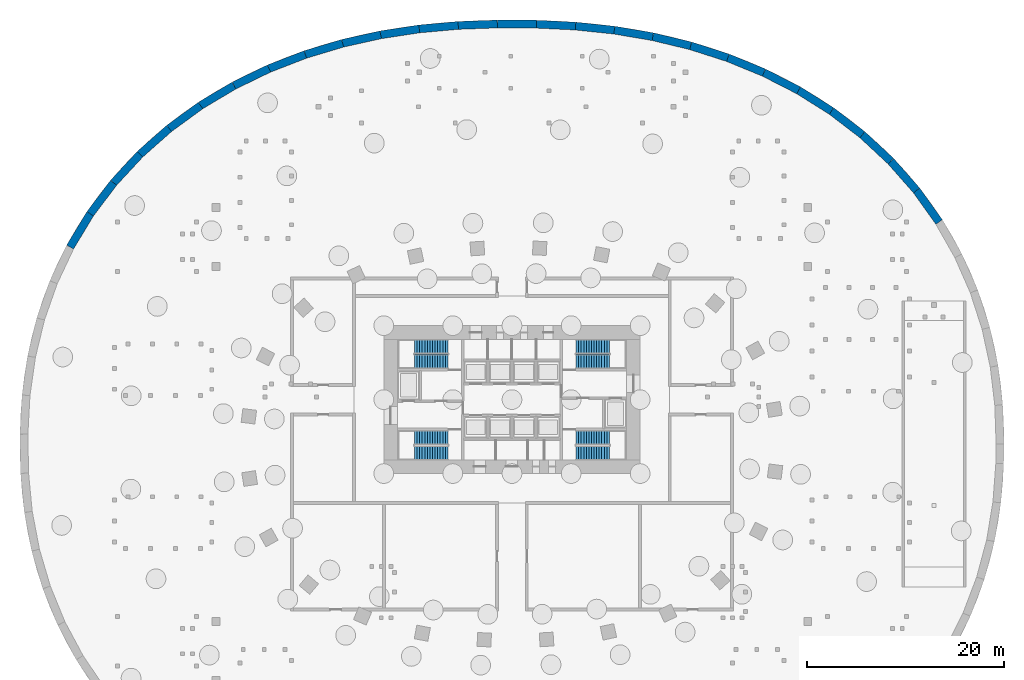
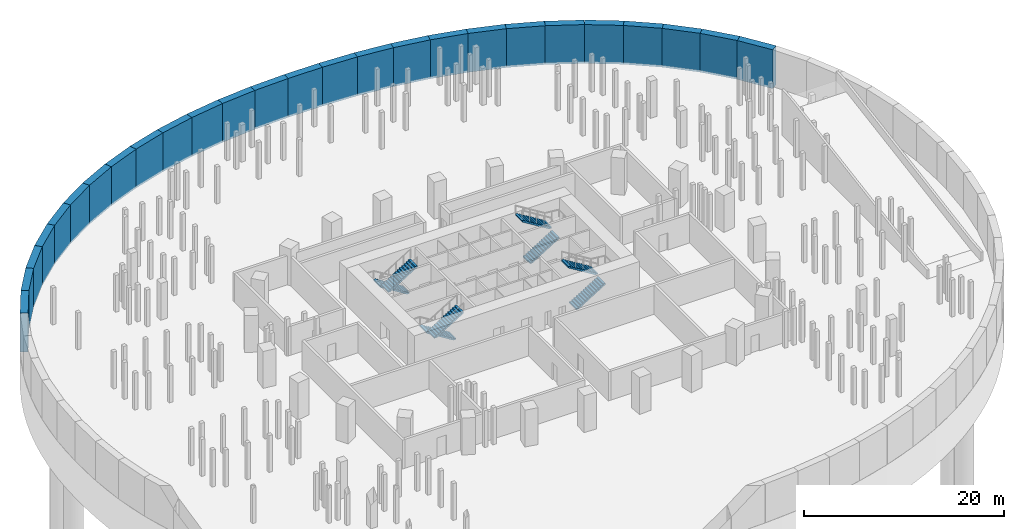
# One storey, part 8 of 10: 26 walls, 8 stair flights, 4 elements without a shape of their own.
"""IFC4 building model written with IfcOpenShell, lengths in metres."""

import ifcopenshell
import ifcopenshell.guid

model = None  # the IFC model being written
_history = None  # IfcOwnerHistory: only IFC2X3 demands one
_inside = {}  # id of a spatial element -> (the spatial element, [elements in it])
_under = {}  # id of a project, library or spatial element -> (it, [spatial elements below it])
_declared = {}  # id of a project -> (the project, [libraries it declares])
_typed = {}  # id of a type object -> (the type object, [elements of that type])
_made_of = {}  # id of a material, layer set ... -> (it, [elements and type objects made of it])


def new_model(schema):
    """Start an empty IFC model of exactly this schema.

    Asked for "IFC4X3", IfcOpenShell would pick the latest addendum, in which some entities
    have other attributes; the version numbers below select the first issue.
    IFC2X3 requires an IfcOwnerHistory on every rooted entity: one is made here for all.
    """
    global model, _history
    if schema == "IFC4X3":
        model = ifcopenshell.file(schema_version=(4, 3, 0, 0))
    else:
        model = ifcopenshell.file(schema=schema)
    _inside.clear()
    _under.clear()
    _declared.clear()
    _typed.clear()
    _made_of.clear()
    _history = None
    if model.schema == "IFC2X3":
        org = make("IfcOrganization", Name="unknown")
        user = make(
            "IfcPersonAndOrganization",
            ThePerson=make("IfcPerson", FamilyName="unknown"),
            TheOrganization=org,
        )
        app = make(
            "IfcApplication",
            ApplicationDeveloper=org,
            Version="unknown",
            ApplicationFullName="unknown",
            ApplicationIdentifier="unknown",
        )
        _history = make(
            "IfcOwnerHistory",
            OwningUser=user,
            OwningApplication=app,
            ChangeAction="ADDED",
            CreationDate=0,
        )
    return model


def make(cls, **values):
    """One entity of the class cls with the attributes given. An attribute that is None is left unset."""
    return model.create_entity(
        cls, **{name: value for name, value in values.items() if value is not None}
    )


def rooted(cls, **values):
    """An entity with a GlobalId (a new one), such as an element, a storey or a relation."""
    return make(cls, GlobalId=ifcopenshell.guid.new(), OwnerHistory=_history, **values)


def si_unit(unit_type, name, prefix=None):
    """IfcSIUnit, for example si_unit("LENGTHUNIT", "METRE", prefix="MILLI")."""
    return make("IfcSIUnit", UnitType=unit_type, Prefix=prefix, Name=name)


def assignment(units):
    """IfcUnitAssignment: the units of a project."""
    return None if units is None else make("IfcUnitAssignment", Units=units)


def point(xyz):
    """IfcCartesianPoint."""
    return None if xyz is None else make("IfcCartesianPoint", Coordinates=xyz)


def direction(xyz):
    """IfcDirection."""
    return None if xyz is None else make("IfcDirection", DirectionRatios=xyz)


def frame(location, z_axis=None, x_axis=None):
    """IfcAxis2Placement3D, a coordinate frame: its origin and axes. An axis left out is left unset."""
    return make(
        "IfcAxis2Placement3D",
        Location=point(location),
        Axis=direction(z_axis),
        RefDirection=direction(x_axis),
    )


def frame_2d(location, x_axis=None):
    """IfcAxis2Placement2D, a coordinate frame in the plane: its origin and x axis."""
    return make(
        "IfcAxis2Placement2D", Location=point(location), RefDirection=direction(x_axis)
    )


def origin():
    """The frame at (0, 0, 0) with its axes left unset."""
    return frame((0.0, 0.0, 0.0))


def place(relative_to, where):
    """IfcLocalPlacement: puts the frame where relative to a parent placement (None: the world)."""
    return make(
        "IfcLocalPlacement", PlacementRelTo=relative_to, RelativePlacement=where
    )


def context(
    kind, dimensions, precision=None, world=None, true_north=None, identifier=None
):
    """IfcGeometricRepresentationContext, for example the 3D "Model" context."""
    return make(
        "IfcGeometricRepresentationContext",
        ContextIdentifier=identifier,
        ContextType=kind,
        CoordinateSpaceDimension=dimensions,
        Precision=precision,
        WorldCoordinateSystem=world,
        TrueNorth=true_north,
    )


def subcontext(parent, identifier, kind, view, scale=None):
    """IfcGeometricRepresentationSubContext, for example "Body" below "Model"."""
    return make(
        "IfcGeometricRepresentationSubContext",
        ContextIdentifier=identifier,
        ContextType=kind,
        ParentContext=parent,
        TargetScale=scale,
        TargetView=view,
    )


def project(units=None, contexts=None):
    """IfcProject with its units and contexts."""
    return rooted(
        "IfcProject",
        Name="project",
        RepresentationContexts=contexts,
        UnitsInContext=assignment(units),
    )


def spatial(cls, under=None, at=None, **own):
    """A site, building, storey or space (cls), placed at a placement, below another one or the project."""
    s = rooted(cls, ObjectPlacement=at, **own)
    if under is not None:
        _under.setdefault(under.id(), (under, []))[1].append(s)
    return s


def polyline(points):
    """IfcPolyline through the points."""
    return make("IfcPolyline", Points=[point(p) for p in points])


def profile(cls, at=None, kind="AREA", **sizes):
    """A parametric profile (cls). Its sizes go by their IFC names, for example OverallWidth=200.0."""
    return make(cls, ProfileType=kind, Position=at, **sizes)


def rectangle(**sizes):
    """IfcRectangleProfileDef."""
    return profile("IfcRectangleProfileDef", **sizes)


def outline(outer, holes=None, kind="AREA"):
    """IfcArbitraryClosedProfileDef: a profile drawn as a closed curve; with holes, ...WithVoids."""
    if holes is None:
        return make("IfcArbitraryClosedProfileDef", ProfileType=kind, OuterCurve=outer)
    return make(
        "IfcArbitraryProfileDefWithVoids",
        ProfileType=kind,
        OuterCurve=outer,
        InnerCurves=holes,
    )


def extrude(swept, where, along, depth):
    """IfcExtrudedAreaSolid: the profile swept, set in the frame where, extruded along a direction by depth."""
    return make(
        "IfcExtrudedAreaSolid",
        SweptArea=swept,
        Position=where,
        ExtrudedDirection=direction(along),
        Depth=depth,
    )


def shape(context_of_items, identifier, shape_type, items):
    """IfcShapeRepresentation: the items that make up one representation, for example the "Body"."""
    return make(
        "IfcShapeRepresentation",
        ContextOfItems=context_of_items,
        RepresentationIdentifier=identifier,
        RepresentationType=shape_type,
        Items=items,
    )


def material(Name=None, Category=None):
    """IfcMaterial."""
    return make("IfcMaterial", Name=Name, Category=Category)


def layer(
    of_material, thickness, ventilated=None, Name=None, Category=None, Priority=None
):
    """IfcMaterialLayer: one layer of a wall or slab, of a material (None: an air gap)."""
    return make(
        "IfcMaterialLayer",
        Material=of_material,
        LayerThickness=thickness,
        IsVentilated=ventilated,
        Name=Name,
        Category=Category,
        Priority=Priority,
    )


def layer_set(layers, Name=None):
    """IfcMaterialLayerSet."""
    return make("IfcMaterialLayerSet", MaterialLayers=layers, LayerSetName=Name)


def made_of(thing, what):
    """Note that an element or type object is made of a material, layer set ...; save() writes the relation."""
    if what is not None:
        _made_of.setdefault(what.id(), (what, []))[1].append(thing)
    return thing


def type_object(cls, material=None, **own):
    """A type object (cls), such as IfcWallType, which elements share."""
    return made_of(rooted(cls, **own), material)


def element(
    cls,
    number,
    at=None,
    inside=None,
    cuts=None,
    type_object=None,
    material=None,
    context=None,
    identifier="Body",
    shape_type=None,
    held_by="IfcProductDefinitionShape",
    body=None,
    shapes=None,
    **own,
):
    """One element of the class cls, such as IfcWall. Its Tag is "e" and its number.

    at: its placement. inside: the storey or other place that contains it. cuts: it is an
    opening in that element (IfcRelVoidsElement). A single representation is given by context,
    identifier, shape_type and body (its items); several are given by shapes. held_by: the class
    of the entity that holds the representations. save() writes the other relations.
    """
    e = rooted(cls, Tag="e%d" % number, ObjectPlacement=at, **own)
    if body is not None:
        shapes = [shape(context, identifier, shape_type, body)]
    if shapes is not None:
        e.Representation = make(held_by, Representations=shapes)
    if inside is not None:
        _inside.setdefault(inside.id(), (inside, []))[1].append(e)
    if cuts is not None:
        rooted(
            "IfcRelVoidsElement", RelatingBuildingElement=cuts, RelatedOpeningElement=e
        )
    if type_object is not None:
        _typed.setdefault(type_object.id(), (type_object, []))[1].append(e)
    return made_of(e, material)


def aggregate(whole, parts):
    """IfcRelAggregates: a whole, such as a stair, and the parts it consists of."""
    return rooted("IfcRelAggregates", RelatingObject=whole, RelatedObjects=parts)


def save(model, path):
    """Write the relations noted so far, then the file.

    IfcRelAggregates (storeys below a building ...), IfcRelContainedInSpatialStructure (elements
    in a storey), IfcRelDefinesByType, IfcRelAssociatesMaterial and IfcRelDeclares: one each for
    every whole, place, type object, material and project.
    """
    for whole, parts in _under.values():
        aggregate(whole, parts)
    for where, things in _inside.values():
        rooted(
            "IfcRelContainedInSpatialStructure",
            RelatedElements=things,
            RelatingStructure=where,
        )
    for kind, things in _typed.values():
        rooted("IfcRelDefinesByType", RelatedObjects=things, RelatingType=kind)
    for what, things in _made_of.values():
        rooted("IfcRelAssociatesMaterial", RelatedObjects=things, RelatingMaterial=what)
    for by, libraries in _declared.values():
        rooted("IfcRelDeclares", RelatingContext=by, RelatedDefinitions=libraries)
    model.write(path)


model = new_model("IFC4")

# Units and contexts
model_context = context("Model", 3, precision=1e-05, world=origin(), true_north=direction((0.0, 1.0)))
body_context = subcontext(model_context, "Body", "Model", "MODEL_VIEW")
ifc_project = project(units=[si_unit("LENGTHUNIT", "METRE"), si_unit("AREAUNIT", "SQUARE_METRE"), si_unit("VOLUMEUNIT", "CUBIC_METRE"), si_unit("PLANEANGLEUNIT", "RADIAN"), si_unit("MASSUNIT", "GRAM", prefix="KILO")], contexts=[model_context])

# Site, building, storey
site_placement = place(None, origin())
site = spatial("IfcSite", under=ifc_project, at=site_placement, CompositionType="ELEMENT")
building_placement = place(site_placement, origin())
building = spatial("IfcBuilding", under=site, at=building_placement, Name="Rubra Terraces Tower", CompositionType="ELEMENT")
storey_placement = place(building_placement, frame((0.0, 0.0, -15.0)))
storey = spatial("IfcBuildingStorey", under=building, at=storey_placement, Name="B3", CompositionType="ELEMENT", Elevation=-15.0)

# Walls
ifc_material = material(Name="Concrete C40", Category="concrete")
ifc_layer = layer(ifc_material, 0.800048828125)
ifc_layer_set = layer_set([ifc_layer], Name="Concrete C40")
wall_type = type_object("IfcWallType", Name="BASEMENT WALL 800", PredefinedType="SOLIDWALL", material=ifc_layer_set)
wall_1_placement = place(storey_placement, frame((-44.81591796875, 19.964111328125, -0.25), z_axis=(0.0, 0.0, 1.0), x_axis=(0.517025826806, 0.855969797607, 0.0)))
element("IfcWall", 1, at=wall_1_placement, inside=storey, type_object=wall_type, Name="wall-B3-basement-044", PredefinedType="SOLIDWALL", context=body_context, shape_type="SweptSolid", body=[
    extrude(rectangle(XDim=3.94140625, YDim=0.800048828125, at=frame_2d((1.970703125, 0.0))), origin(), (0.0, 0.0, 1.0), 4.75),
])
wall_2_placement = place(storey_placement, frame((-42.778076171875, 23.337890625, -0.25), z_axis=(0.0, 0.0, 1.0), x_axis=(0.601930372291, 0.798548575175, 0.0)))
element("IfcWall", 2, at=wall_2_placement, inside=storey, type_object=wall_type, Name="wall-B3-basement-045", PredefinedType="SOLIDWALL", context=body_context, shape_type="SweptSolid", body=[
    extrude(rectangle(XDim=3.9423828125, YDim=0.800048828125, at=frame_2d((1.97119140625, 0.0))), origin(), (0.0, 0.0, 1.0), 4.75),
])
wall_3_placement = place(storey_placement, frame((-40.405029296875, 26.486083984375, -0.25), z_axis=(0.0, 0.0, 1.0), x_axis=(0.679341363133, 0.733822398361, 0.0)))
element("IfcWall", 3, at=wall_3_placement, inside=storey, type_object=wall_type, Name="wall-B3-basement-046", PredefinedType="SOLIDWALL", context=body_context, shape_type="SweptSolid", body=[
    extrude(rectangle(XDim=3.943359375, YDim=0.800048828125, at=frame_2d((1.9716796875, 0.0))), origin(), (0.0, 0.0, 1.0), 4.75),
])
wall_4_placement = place(storey_placement, frame((-37.72607421875, 29.3798828125, -0.25), z_axis=(0.0, 0.0, 1.0), x_axis=(0.748282708278, 0.663379972936, 0.0)))
element("IfcWall", 4, at=wall_4_placement, inside=storey, type_object=wall_type, Name="wall-B3-basement-047", PredefinedType="SOLIDWALL", context=body_context, shape_type="SweptSolid", body=[
    extrude(rectangle(XDim=3.9453125, YDim=0.800048828125, at=frame_2d((1.97265625, 0.0))), origin(), (0.0, 0.0, 1.0), 4.75),
])
wall_5_placement = place(storey_placement, frame((-34.77392578125, 31.9970703125, -0.25), z_axis=(0.0, 0.0, 1.0), x_axis=(0.807844288367, 0.589395966861, 0.0)))
element("IfcWall", 5, at=wall_5_placement, inside=storey, type_object=wall_type, Name="wall-B3-basement-048", PredefinedType="SOLIDWALL", context=body_context, shape_type="SweptSolid", body=[
    extrude(rectangle(XDim=3.9462890625, YDim=0.800048828125, at=frame_2d((1.97314453125, 0.0))), origin(), (0.0, 0.0, 1.0), 4.75),
])
wall_6_placement = place(storey_placement, frame((-31.5859375, 34.322998046875, -0.25), z_axis=(0.0, 0.0, 1.0), x_axis=(0.858234183213, 0.513258304135, 0.0)))
element("IfcWall", 6, at=wall_6_placement, inside=storey, type_object=wall_type, Name="wall-B3-basement-049", PredefinedType="SOLIDWALL", context=body_context, shape_type="SweptSolid", body=[
    extrude(rectangle(XDim=3.947509765625, YDim=0.800048828125, at=frame_2d((1.9736328125, 0.0))), origin(), (0.0, 0.0, 1.0), 4.75),
])
wall_7_placement = place(storey_placement, frame((-28.197998046875, 36.34912109375, -0.25), z_axis=(0.0, 0.0, 1.0), x_axis=(0.899739832589, 0.436426664691, 0.0)))
element("IfcWall", 7, at=wall_7_placement, inside=storey, type_object=wall_type, Name="wall-B3-basement-050", PredefinedType="SOLIDWALL", context=body_context, shape_type="SweptSolid", body=[
    extrude(rectangle(XDim=3.949951171875, YDim=0.800048828125, at=frame_2d((1.97509765625, 0.0))), origin(), (0.0, 0.0, 1.0), 4.75),
])
wall_8_placement = place(storey_placement, frame((-24.64404296875, 38.072998046875, -0.25), z_axis=(0.0, 0.0, 1.0), x_axis=(0.932555353047, 0.361027026001, 0.0)))
element("IfcWall", 8, at=wall_8_placement, inside=storey, type_object=wall_type, Name="wall-B3-basement-051", PredefinedType="SOLIDWALL", context=body_context, shape_type="SweptSolid", body=[
    extrude(rectangle(XDim=3.95263671875, YDim=0.800048828125, at=frame_2d((1.976318359375, 0.0))), origin(), (0.0, 0.0, 1.0), 4.75),
])
wall_9_placement = place(storey_placement, frame((-20.9580078125, 39.5, -0.25), z_axis=(0.0, 0.0, 1.0), x_axis=(0.95767487473, 0.287852104928, 0.0)))
element("IfcWall", 9, at=wall_9_placement, inside=storey, type_object=wall_type, Name="wall-B3-basement-052", PredefinedType="SOLIDWALL", context=body_context, shape_type="SweptSolid", body=[
    extrude(rectangle(XDim=3.953125, YDim=0.800048828125, at=frame_2d((1.9765625, 0.0))), origin(), (0.0, 0.0, 1.0), 4.75),
])
wall_10_placement = place(storey_placement, frame((-17.172119140625, 40.637939453125, -0.25), z_axis=(0.0, 0.0, 1.0), x_axis=(0.976139122894, 0.217146063181, 0.0)))
element("IfcWall", 10, at=wall_10_placement, inside=storey, type_object=wall_type, Name="wall-B3-basement-053", PredefinedType="SOLIDWALL", context=body_context, shape_type="SweptSolid", body=[
    extrude(rectangle(XDim=3.95654296875, YDim=0.800048828125, at=frame_2d((1.978271484375, 0.0))), origin(), (0.0, 0.0, 1.0), 4.75),
])
wall_11_placement = place(storey_placement, frame((-13.31005859375, 41.4970703125, -0.25), z_axis=(0.0, 0.0, 1.0), x_axis=(0.988527324847, 0.151042139915, 0.0)))
element("IfcWall", 11, at=wall_11_placement, inside=storey, type_object=wall_type, Name="wall-B3-basement-054", PredefinedType="SOLIDWALL", context=body_context, shape_type="SweptSolid", body=[
    extrude(rectangle(XDim=3.95849609375, YDim=0.800048828125, at=frame_2d((1.979248046875, 0.0))), origin(), (0.0, 0.0, 1.0), 4.75),
])
wall_12_placement = place(storey_placement, frame((-9.39697265625, 42.094970703125, -0.25), z_axis=(0.0, 0.0, 1.0), x_axis=(0.995978123884, 0.089596745167, 0.0)))
element("IfcWall", 12, at=wall_12_placement, inside=storey, type_object=wall_type, Name="wall-B3-basement-055", PredefinedType="SOLIDWALL", context=body_context, shape_type="SweptSolid", body=[
    extrude(rectangle(XDim=3.9619140625, YDim=0.800048828125, at=frame_2d((1.98095703125, 0.0))), origin(), (0.0, 0.0, 1.0), 4.75),
])
wall_13_placement = place(storey_placement, frame((-5.450927734375, 42.449951171875, -0.25), z_axis=(0.0, 0.0, 1.0), x_axis=(0.999357824978, 0.035832075785, 0.0)))
element("IfcWall", 13, at=wall_13_placement, inside=storey, type_object=wall_type, Name="wall-B3-basement-056", PredefinedType="SOLIDWALL", context=body_context, shape_type="SweptSolid", body=[
    extrude(rectangle(XDim=3.96533203125, YDim=0.800048828125, at=frame_2d((1.982666015625, 0.0))), origin(), (0.0, 0.0, 1.0), 4.75),
])
wall_14_placement = place(storey_placement, frame((-1.488037109375, 42.592041015625, -0.25), z_axis=(0.0, 0.0, 1.0), x_axis=(0.999989630128, -0.004554079182, 0.0)))
element("IfcWall", 14, at=wall_14_placement, inside=storey, type_object=wall_type, Name="wall-B3-basement-057", PredefinedType="SOLIDWALL", context=body_context, shape_type="SweptSolid", body=[
    extrude(rectangle(XDim=3.967041015625, YDim=0.800048828125, at=frame_2d((1.9833984375, 0.0))), origin(), (0.0, 0.0, 1.0), 4.75),
])
wall_15_placement = place(storey_placement, frame((2.47900390625, 42.573974609375, -0.25), z_axis=(0.0, 0.0, 1.0), x_axis=(0.998839819641, -0.048156149134, 0.0)))
element("IfcWall", 15, at=wall_15_placement, inside=storey, type_object=wall_type, Name="wall-B3-basement-058", PredefinedType="SOLIDWALL", context=body_context, shape_type="SweptSolid", body=[
    extrude(rectangle(XDim=3.964599609375, YDim=0.800048828125, at=frame_2d((1.982421875, 0.0))), origin(), (0.0, 0.0, 1.0), 4.75),
])
wall_16_placement = place(storey_placement, frame((6.43896484375, 42.383056640625, -0.25), z_axis=(0.0, 0.0, 1.0), x_axis=(0.994522998166, -0.104517970312, 0.0)))
element("IfcWall", 16, at=wall_16_placement, inside=storey, type_object=wall_type, Name="wall-B3-basement-059", PredefinedType="SOLIDWALL", context=body_context, shape_type="SweptSolid", body=[
    extrude(rectangle(XDim=3.961669921875, YDim=0.800048828125, at=frame_2d((1.98095703125, 0.0))), origin(), (0.0, 0.0, 1.0), 4.75),
])
wall_17_placement = place(storey_placement, frame((10.37890625, 41.968994140625, -0.25), z_axis=(0.0, 0.0, 1.0), x_axis=(0.985907879515, -0.167289130279, 0.0)))
element("IfcWall", 17, at=wall_17_placement, inside=storey, type_object=wall_type, Name="wall-B3-basement-060", PredefinedType="SOLIDWALL", context=body_context, shape_type="SweptSolid", body=[
    extrude(rectangle(XDim=3.957763671875, YDim=0.800048828125, at=frame_2d((1.97900390625, 0.0))), origin(), (0.0, 0.0, 1.0), 4.75),
])
wall_18_placement = place(storey_placement, frame((14.281005859375, 41.306884765625, -0.25), z_axis=(0.0, 0.0, 1.0), x_axis=(0.97214528797, -0.234379049998, 0.0)))
element("IfcWall", 18, at=wall_18_placement, inside=storey, type_object=wall_type, Name="wall-B3-basement-061", PredefinedType="SOLIDWALL", context=body_context, shape_type="SweptSolid", body=[
    extrude(rectangle(XDim=3.955078125, YDim=0.800048828125, at=frame_2d((1.9775390625, 0.0))), origin(), (0.0, 0.0, 1.0), 4.75),
])
wall_19_placement = place(storey_placement, frame((18.1259765625, 40.3798828125, -0.25), z_axis=(0.0, 0.0, 1.0), x_axis=(0.952119733855, -0.305725387242, 0.0)))
element("IfcWall", 19, at=wall_19_placement, inside=storey, type_object=wall_type, Name="wall-B3-basement-062", PredefinedType="SOLIDWALL", context=body_context, shape_type="SweptSolid", body=[
    extrude(rectangle(XDim=3.95458984375, YDim=0.800048828125, at=frame_2d((1.977294921875, 0.0))), origin(), (0.0, 0.0, 1.0), 4.75),
])
wall_20_placement = place(storey_placement, frame((21.89111328125, 39.1708984375, -0.25), z_axis=(0.0, 0.0, 1.0), x_axis=(0.925028349338, -0.37989808228, 0.0)))
element("IfcWall", 20, at=wall_20_placement, inside=storey, type_object=wall_type, Name="wall-B3-basement-063", PredefinedType="SOLIDWALL", context=body_context, shape_type="SweptSolid", body=[
    extrude(rectangle(XDim=3.950927734375, YDim=0.800048828125, at=frame_2d((1.9755859375, 0.0))), origin(), (0.0, 0.0, 1.0), 4.75),
])
wall_21_placement = place(storey_placement, frame((25.5458984375, 37.669921875, -0.25), z_axis=(0.0, 0.0, 1.0), x_axis=(0.890108207411, -0.455749250246, 0.0)))
element("IfcWall", 21, at=wall_21_placement, inside=storey, type_object=wall_type, Name="wall-B3-basement-064", PredefinedType="SOLIDWALL", context=body_context, shape_type="SweptSolid", body=[
    extrude(rectangle(XDim=3.94921875, YDim=0.800048828125, at=frame_2d((1.974609375, 0.0))), origin(), (0.0, 0.0, 1.0), 4.75),
])
wall_22_placement = place(storey_placement, frame((29.06103515625, 35.8701171875, -0.25), z_axis=(0.0, 0.0, 1.0), x_axis=(0.846595147824, -0.532237405375, 0.0)))
element("IfcWall", 22, at=wall_22_placement, inside=storey, type_object=wall_type, Name="wall-B3-basement-065", PredefinedType="SOLIDWALL", context=body_context, shape_type="SweptSolid", body=[
    extrude(rectangle(XDim=3.947509765625, YDim=0.800048828125, at=frame_2d((1.9736328125, 0.0))), origin(), (0.0, 0.0, 1.0), 4.75),
])
wall_23_placement = place(storey_placement, frame((32.403076171875, 33.76904296875, -0.25), z_axis=(0.0, 0.0, 1.0), x_axis=(0.793719876986, -0.608283451096, 0.0)))
element("IfcWall", 23, at=wall_23_placement, inside=storey, type_object=wall_type, Name="wall-B3-basement-066", PredefinedType="SOLIDWALL", context=body_context, shape_type="SweptSolid", body=[
    extrude(rectangle(XDim=3.94580078125, YDim=0.800048828125, at=frame_2d((1.972900390625, 0.0))), origin(), (0.0, 0.0, 1.0), 4.75),
])
wall_24_placement = place(storey_placement, frame((35.534912109375, 31.368896484375, -0.25), z_axis=(0.0, 0.0, 1.0), x_axis=(0.732030218805, -0.68127216203, 0.0)))
element("IfcWall", 24, at=wall_24_placement, inside=storey, type_object=wall_type, Name="wall-B3-basement-067", PredefinedType="SOLIDWALL", context=body_context, shape_type="SweptSolid", body=[
    extrude(rectangle(XDim=3.944091796875, YDim=0.800048828125, at=frame_2d((1.97216796875, 0.0))), origin(), (0.0, 0.0, 1.0), 4.75),
])
wall_25_placement = place(storey_placement, frame((38.422119140625, 28.681884765625, -0.25), z_axis=(0.0, 0.0, 1.0), x_axis=(0.660798136834, -0.750563669756, 0.0)))
element("IfcWall", 25, at=wall_25_placement, inside=storey, type_object=wall_type, Name="wall-B3-basement-068", PredefinedType="SOLIDWALL", context=body_context, shape_type="SweptSolid", body=[
    extrude(rectangle(XDim=3.943603515625, YDim=0.800048828125, at=frame_2d((1.9716796875, 0.0))), origin(), (0.0, 0.0, 1.0), 4.75),
])
wall_26_placement = place(storey_placement, frame((41.028076171875, 25.721923828125, -0.25), z_axis=(0.0, 0.0, 1.0), x_axis=(0.581331910966, -0.813666522166, 0.0)))
element("IfcWall", 26, at=wall_26_placement, inside=storey, type_object=wall_type, Name="wall-B3-basement-069", PredefinedType="SOLIDWALL", context=body_context, shape_type="SweptSolid", body=[
    extrude(rectangle(XDim=3.942626953125, YDim=0.800048828125, at=frame_2d((1.97119140625, 0.0))), origin(), (0.0, 0.0, 1.0), 4.75),
])

# Stair, stair flights
stair_type = type_object("IfcStairType", Name="Core stair 1400", PredefinedType="HALF_TURN_STAIR", material=ifc_material)
stair_1_placement = place(storey_placement, origin())
stair_1 = element("IfcStair", 27, at=stair_1_placement, inside=storey, type_object=stair_type, Name="B3 Exit stair S1", PredefinedType="HALF_TURN_STAIR")
stair_flight_type = type_object("IfcStairFlightType", Name="Core stair flight 1400", PredefinedType="STRAIGHT", material=ifc_material)
stair_flight_1_placement = place(storey_placement, frame((-6.5, 0.64990234375, 0.0), z_axis=(0.0, 0.0, 1.0), x_axis=(-1.0, 0.0, 0.0)))
stair_flight_1 = element("IfcStairFlight", 28, at=stair_flight_1_placement, type_object=stair_flight_type, Name="S1 flight 1", NumberOfRisers=14, NumberOfTreads=13, PredefinedType="STRAIGHT", RiserHeight=0.160714286, TreadLength=0.26, context=body_context, shape_type="SweptSolid", body=[
    extrude(outline(polyline([(0.0, 0.0), (0.0, 0.16064453125), (0.260009765625, 0.16064453125), (0.260009765625, 0.321533203125), (0.52001953125, 0.321533203125), (0.52001953125, 0.482177734375), (0.780029296875, 0.482177734375), (0.780029296875, 0.642822265625), (1.0400390625, 0.642822265625), (1.0400390625, 0.803466796875), (1.300048828125, 0.803466796875), (1.300048828125, 0.96435546875), (1.56005859375, 0.96435546875), (1.56005859375, 1.125), (1.820068359375, 1.125), (1.820068359375, 1.28564453125), (2.080078125, 1.28564453125), (2.080078125, 1.446533203125), (2.340087890625, 1.446533203125), (2.340087890625, 1.607177734375), (2.60009765625, 1.607177734375), (2.60009765625, 1.767822265625), (2.860107421875, 1.767822265625), (2.860107421875, 1.928466796875), (3.1201171875, 1.928466796875), (3.1201171875, 2.08935546875), (3.3798828125, 2.08935546875), (3.3798828125, 2.25), (3.3798828125, 1.9130859375), (0.28515625, 0.0), (0.0, 0.0)])), frame((0.0, 0.699951171875, 0.0), z_axis=(0.0, -1.0, 0.0), x_axis=(1.0, 0.0, 0.0)), (0.0, 0.0, 1.0), 1.39990234375),
])
stair_flight_2_placement = place(storey_placement, frame((-9.8798828125, -0.89990234375, 2.25), z_axis=(0.0, 0.0, 1.0), x_axis=(1.0, 0.0, 0.0)))
stair_flight_2 = element("IfcStairFlight", 29, at=stair_flight_2_placement, type_object=stair_flight_type, Name="S1 flight 2", NumberOfRisers=14, NumberOfTreads=13, PredefinedType="STRAIGHT", RiserHeight=0.160714286, TreadLength=0.26, context=body_context, shape_type="SweptSolid", body=[
    extrude(outline(polyline([(0.0, 0.0), (0.0, 0.16064453125), (0.260009765625, 0.16064453125), (0.260009765625, 0.321533203125), (0.52001953125, 0.321533203125), (0.52001953125, 0.482177734375), (0.780029296875, 0.482177734375), (0.780029296875, 0.642822265625), (1.0400390625, 0.642822265625), (1.0400390625, 0.803466796875), (1.300048828125, 0.803466796875), (1.300048828125, 0.96435546875), (1.56005859375, 0.96435546875), (1.56005859375, 1.125), (1.820068359375, 1.125), (1.820068359375, 1.28564453125), (2.080078125, 1.28564453125), (2.080078125, 1.446533203125), (2.340087890625, 1.446533203125), (2.340087890625, 1.607177734375), (2.60009765625, 1.607177734375), (2.60009765625, 1.767822265625), (2.860107421875, 1.767822265625), (2.860107421875, 1.928466796875), (3.1201171875, 1.928466796875), (3.1201171875, 2.08935546875), (3.3798828125, 2.08935546875), (3.3798828125, 2.25), (3.3798828125, 1.9130859375), (0.28515625, 0.0), (0.0, 0.0)])), frame((0.0, 0.699951171875, 0.0), z_axis=(0.0, -1.0, 0.0), x_axis=(1.0, 0.0, 0.0)), (0.0, 0.0, 1.0), 1.39990234375),
])
aggregate(stair_1, [stair_flight_1, stair_flight_2])

stair_2_placement = place(storey_placement, origin())
stair_2 = element("IfcStair", 30, at=stair_2_placement, inside=storey, type_object=stair_type, Name="B3 Exit stair S2", PredefinedType="HALF_TURN_STAIR")
stair_flight_3_placement = place(storey_placement, frame((-6.5, 9.89990234375, 0.0), z_axis=(0.0, 0.0, 1.0), x_axis=(-1.0, 0.0, 0.0)))
stair_flight_3 = element("IfcStairFlight", 31, at=stair_flight_3_placement, type_object=stair_flight_type, Name="S2 flight 1", NumberOfRisers=14, NumberOfTreads=13, PredefinedType="STRAIGHT", RiserHeight=0.160714286, TreadLength=0.26, context=body_context, shape_type="SweptSolid", body=[
    extrude(outline(polyline([(0.0, 0.0), (0.0, 0.16064453125), (0.260009765625, 0.16064453125), (0.260009765625, 0.321533203125), (0.52001953125, 0.321533203125), (0.52001953125, 0.482177734375), (0.780029296875, 0.482177734375), (0.780029296875, 0.642822265625), (1.0400390625, 0.642822265625), (1.0400390625, 0.803466796875), (1.300048828125, 0.803466796875), (1.300048828125, 0.96435546875), (1.56005859375, 0.96435546875), (1.56005859375, 1.125), (1.820068359375, 1.125), (1.820068359375, 1.28564453125), (2.080078125, 1.28564453125), (2.080078125, 1.446533203125), (2.340087890625, 1.446533203125), (2.340087890625, 1.607177734375), (2.60009765625, 1.607177734375), (2.60009765625, 1.767822265625), (2.860107421875, 1.767822265625), (2.860107421875, 1.928466796875), (3.1201171875, 1.928466796875), (3.1201171875, 2.08935546875), (3.3798828125, 2.08935546875), (3.3798828125, 2.25), (3.3798828125, 1.9130859375), (0.28515625, 0.0), (0.0, 0.0)])), frame((0.0, 0.699951171875, 0.0), z_axis=(0.0, -1.0, 0.0), x_axis=(1.0, 0.0, 0.0)), (0.0, 0.0, 1.0), 1.39990234375),
])
stair_flight_4_placement = place(storey_placement, frame((-9.8798828125, 8.35009765625, 2.25), z_axis=(0.0, 0.0, 1.0), x_axis=(1.0, 0.0, 0.0)))
stair_flight_4 = element("IfcStairFlight", 32, at=stair_flight_4_placement, type_object=stair_flight_type, Name="S2 flight 2", NumberOfRisers=14, NumberOfTreads=13, PredefinedType="STRAIGHT", RiserHeight=0.160714286, TreadLength=0.26, context=body_context, shape_type="SweptSolid", body=[
    extrude(outline(polyline([(0.0, 0.0), (0.0, 0.16064453125), (0.260009765625, 0.16064453125), (0.260009765625, 0.321533203125), (0.52001953125, 0.321533203125), (0.52001953125, 0.482177734375), (0.780029296875, 0.482177734375), (0.780029296875, 0.642822265625), (1.0400390625, 0.642822265625), (1.0400390625, 0.803466796875), (1.300048828125, 0.803466796875), (1.300048828125, 0.96435546875), (1.56005859375, 0.96435546875), (1.56005859375, 1.125), (1.820068359375, 1.125), (1.820068359375, 1.28564453125), (2.080078125, 1.28564453125), (2.080078125, 1.446533203125), (2.340087890625, 1.446533203125), (2.340087890625, 1.607177734375), (2.60009765625, 1.607177734375), (2.60009765625, 1.767822265625), (2.860107421875, 1.767822265625), (2.860107421875, 1.928466796875), (3.1201171875, 1.928466796875), (3.1201171875, 2.08935546875), (3.3798828125, 2.08935546875), (3.3798828125, 2.25), (3.3798828125, 1.9130859375), (0.28515625, 0.0), (0.0, 0.0)])), frame((0.0, 0.699951171875, 0.0), z_axis=(0.0, -1.0, 0.0), x_axis=(1.0, 0.0, 0.0)), (0.0, 0.0, 1.0), 1.39990234375),
])
aggregate(stair_2, [stair_flight_3, stair_flight_4])

stair_3_placement = place(storey_placement, origin())
stair_3 = element("IfcStair", 33, at=stair_3_placement, inside=storey, type_object=stair_type, Name="B3 Exit stair S3", PredefinedType="HALF_TURN_STAIR")
stair_flight_5_placement = place(storey_placement, frame((6.5, 8.35009765625, 0.0), z_axis=(0.0, 0.0, 1.0), x_axis=(1.0, 0.0, 0.0)))
stair_flight_5 = element("IfcStairFlight", 34, at=stair_flight_5_placement, type_object=stair_flight_type, Name="S3 flight 1", NumberOfRisers=14, NumberOfTreads=13, PredefinedType="STRAIGHT", RiserHeight=0.160714286, TreadLength=0.26, context=body_context, shape_type="SweptSolid", body=[
    extrude(outline(polyline([(0.0, 0.0), (0.0, 0.16064453125), (0.260009765625, 0.16064453125), (0.260009765625, 0.321533203125), (0.52001953125, 0.321533203125), (0.52001953125, 0.482177734375), (0.780029296875, 0.482177734375), (0.780029296875, 0.642822265625), (1.0400390625, 0.642822265625), (1.0400390625, 0.803466796875), (1.300048828125, 0.803466796875), (1.300048828125, 0.96435546875), (1.56005859375, 0.96435546875), (1.56005859375, 1.125), (1.820068359375, 1.125), (1.820068359375, 1.28564453125), (2.080078125, 1.28564453125), (2.080078125, 1.446533203125), (2.340087890625, 1.446533203125), (2.340087890625, 1.607177734375), (2.60009765625, 1.607177734375), (2.60009765625, 1.767822265625), (2.860107421875, 1.767822265625), (2.860107421875, 1.928466796875), (3.1201171875, 1.928466796875), (3.1201171875, 2.08935546875), (3.3798828125, 2.08935546875), (3.3798828125, 2.25), (3.3798828125, 1.9130859375), (0.28515625, 0.0), (0.0, 0.0)])), frame((0.0, 0.699951171875, 0.0), z_axis=(0.0, -1.0, 0.0), x_axis=(1.0, 0.0, 0.0)), (0.0, 0.0, 1.0), 1.39990234375),
])
stair_flight_6_placement = place(storey_placement, frame((9.8798828125, 9.89990234375, 2.25), z_axis=(0.0, 0.0, 1.0), x_axis=(-1.0, 0.0, 0.0)))
stair_flight_6 = element("IfcStairFlight", 35, at=stair_flight_6_placement, type_object=stair_flight_type, Name="S3 flight 2", NumberOfRisers=14, NumberOfTreads=13, PredefinedType="STRAIGHT", RiserHeight=0.160714286, TreadLength=0.26, context=body_context, shape_type="SweptSolid", body=[
    extrude(outline(polyline([(0.0, 0.0), (0.0, 0.16064453125), (0.260009765625, 0.16064453125), (0.260009765625, 0.321533203125), (0.52001953125, 0.321533203125), (0.52001953125, 0.482177734375), (0.780029296875, 0.482177734375), (0.780029296875, 0.642822265625), (1.0400390625, 0.642822265625), (1.0400390625, 0.803466796875), (1.300048828125, 0.803466796875), (1.300048828125, 0.96435546875), (1.56005859375, 0.96435546875), (1.56005859375, 1.125), (1.820068359375, 1.125), (1.820068359375, 1.28564453125), (2.080078125, 1.28564453125), (2.080078125, 1.446533203125), (2.340087890625, 1.446533203125), (2.340087890625, 1.607177734375), (2.60009765625, 1.607177734375), (2.60009765625, 1.767822265625), (2.860107421875, 1.767822265625), (2.860107421875, 1.928466796875), (3.1201171875, 1.928466796875), (3.1201171875, 2.08935546875), (3.3798828125, 2.08935546875), (3.3798828125, 2.25), (3.3798828125, 1.9130859375), (0.28515625, 0.0), (0.0, 0.0)])), frame((0.0, 0.699951171875, 0.0), z_axis=(0.0, -1.0, 0.0), x_axis=(1.0, 0.0, 0.0)), (0.0, 0.0, 1.0), 1.39990234375),
])
aggregate(stair_3, [stair_flight_5, stair_flight_6])

stair_4_placement = place(storey_placement, origin())
stair_4 = element("IfcStair", 36, at=stair_4_placement, inside=storey, type_object=stair_type, Name="B3 Exit stair S4", PredefinedType="HALF_TURN_STAIR")
stair_flight_7_placement = place(storey_placement, frame((6.5, -0.89990234375, 0.0), z_axis=(0.0, 0.0, 1.0), x_axis=(1.0, 0.0, 0.0)))
stair_flight_7 = element("IfcStairFlight", 37, at=stair_flight_7_placement, type_object=stair_flight_type, Name="S4 flight 1", NumberOfRisers=14, NumberOfTreads=13, PredefinedType="STRAIGHT", RiserHeight=0.160714286, TreadLength=0.26, context=body_context, shape_type="SweptSolid", body=[
    extrude(outline(polyline([(0.0, 0.0), (0.0, 0.16064453125), (0.260009765625, 0.16064453125), (0.260009765625, 0.321533203125), (0.52001953125, 0.321533203125), (0.52001953125, 0.482177734375), (0.780029296875, 0.482177734375), (0.780029296875, 0.642822265625), (1.0400390625, 0.642822265625), (1.0400390625, 0.803466796875), (1.300048828125, 0.803466796875), (1.300048828125, 0.96435546875), (1.56005859375, 0.96435546875), (1.56005859375, 1.125), (1.820068359375, 1.125), (1.820068359375, 1.28564453125), (2.080078125, 1.28564453125), (2.080078125, 1.446533203125), (2.340087890625, 1.446533203125), (2.340087890625, 1.607177734375), (2.60009765625, 1.607177734375), (2.60009765625, 1.767822265625), (2.860107421875, 1.767822265625), (2.860107421875, 1.928466796875), (3.1201171875, 1.928466796875), (3.1201171875, 2.08935546875), (3.3798828125, 2.08935546875), (3.3798828125, 2.25), (3.3798828125, 1.9130859375), (0.28515625, 0.0), (0.0, 0.0)])), frame((0.0, 0.699951171875, 0.0), z_axis=(0.0, -1.0, 0.0), x_axis=(1.0, 0.0, 0.0)), (0.0, 0.0, 1.0), 1.39990234375),
])
stair_flight_8_placement = place(storey_placement, frame((9.8798828125, 0.64990234375, 2.25), z_axis=(0.0, 0.0, 1.0), x_axis=(-1.0, 0.0, 0.0)))
stair_flight_8 = element("IfcStairFlight", 38, at=stair_flight_8_placement, type_object=stair_flight_type, Name="S4 flight 2", NumberOfRisers=14, NumberOfTreads=13, PredefinedType="STRAIGHT", RiserHeight=0.160714286, TreadLength=0.26, context=body_context, shape_type="SweptSolid", body=[
    extrude(outline(polyline([(0.0, 0.0), (0.0, 0.16064453125), (0.260009765625, 0.16064453125), (0.260009765625, 0.321533203125), (0.52001953125, 0.321533203125), (0.52001953125, 0.482177734375), (0.780029296875, 0.482177734375), (0.780029296875, 0.642822265625), (1.0400390625, 0.642822265625), (1.0400390625, 0.803466796875), (1.300048828125, 0.803466796875), (1.300048828125, 0.96435546875), (1.56005859375, 0.96435546875), (1.56005859375, 1.125), (1.820068359375, 1.125), (1.820068359375, 1.28564453125), (2.080078125, 1.28564453125), (2.080078125, 1.446533203125), (2.340087890625, 1.446533203125), (2.340087890625, 1.607177734375), (2.60009765625, 1.607177734375), (2.60009765625, 1.767822265625), (2.860107421875, 1.767822265625), (2.860107421875, 1.928466796875), (3.1201171875, 1.928466796875), (3.1201171875, 2.08935546875), (3.3798828125, 2.08935546875), (3.3798828125, 2.25), (3.3798828125, 1.9130859375), (0.28515625, 0.0), (0.0, 0.0)])), frame((0.0, 0.699951171875, 0.0), z_axis=(0.0, -1.0, 0.0), x_axis=(1.0, 0.0, 0.0)), (0.0, 0.0, 1.0), 1.39990234375),
])
aggregate(stair_4, [stair_flight_7, stair_flight_8])

save(model, "model.ifc")
